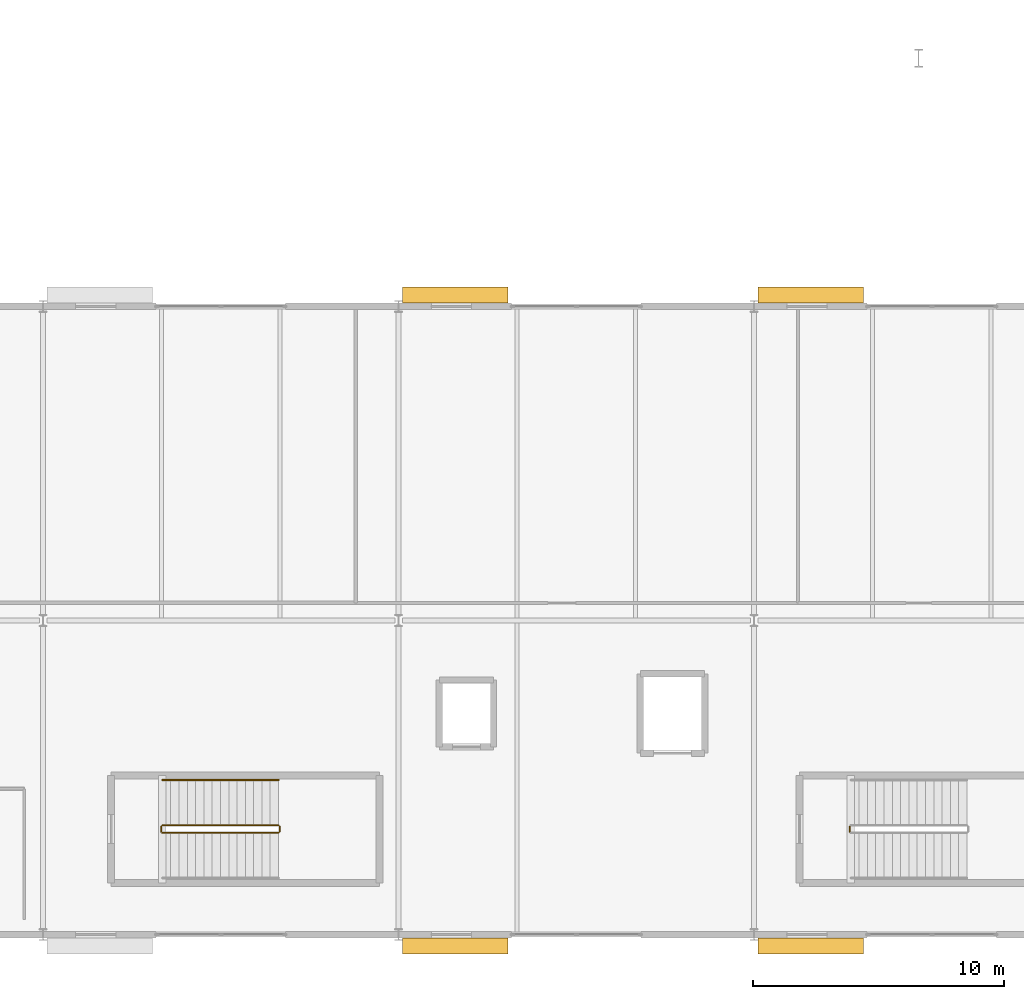
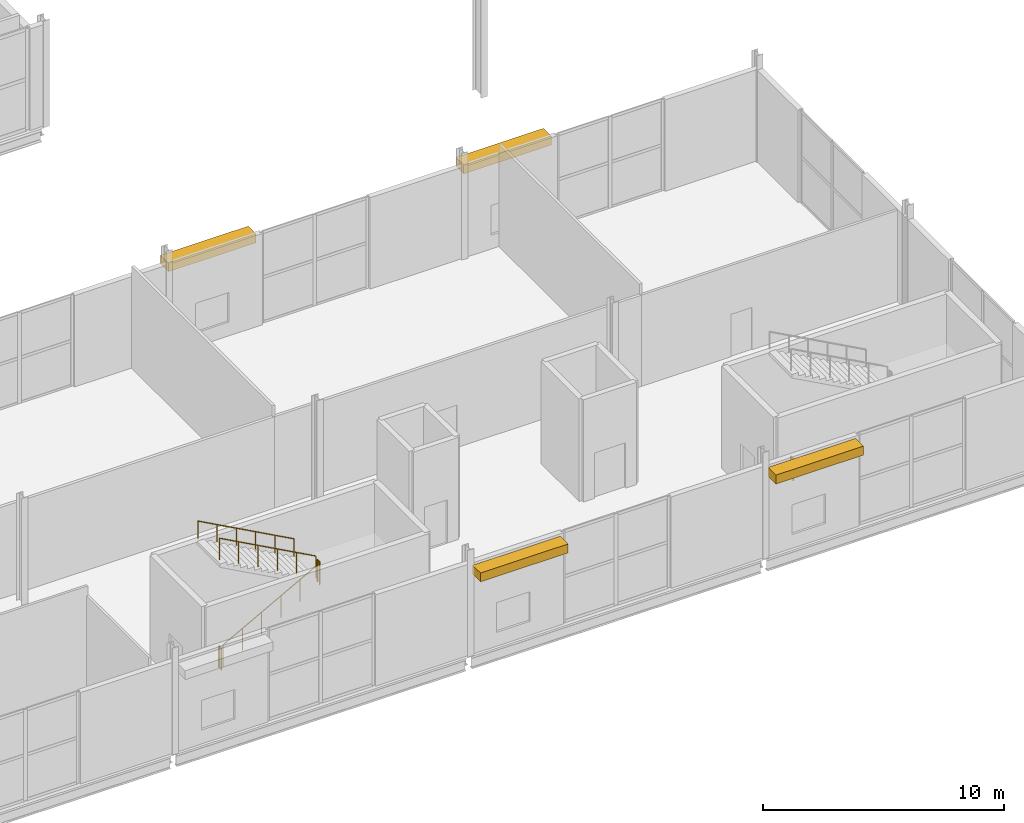
# One storey, part 80 of 84: 6 railings, 4 shading devices.
"""IFC4 building model written with IfcOpenShell, lengths in metres."""

import ifcopenshell
import ifcopenshell.guid

model = None  # the IFC model being written
_history = None  # IfcOwnerHistory: only IFC2X3 demands one
_inside = {}  # id of a spatial element -> (the spatial element, [elements in it])
_under = {}  # id of a project, library or spatial element -> (it, [spatial elements below it])
_declared = {}  # id of a project -> (the project, [libraries it declares])
_typed = {}  # id of a type object -> (the type object, [elements of that type])
_made_of = {}  # id of a material, layer set ... -> (it, [elements and type objects made of it])


def new_model(schema):
    """Start an empty IFC model of exactly this schema.

    Asked for "IFC4X3", IfcOpenShell would pick the latest addendum, in which some entities
    have other attributes; the version numbers below select the first issue.
    IFC2X3 requires an IfcOwnerHistory on every rooted entity: one is made here for all.
    """
    global model, _history
    if schema == "IFC4X3":
        model = ifcopenshell.file(schema_version=(4, 3, 0, 0))
    else:
        model = ifcopenshell.file(schema=schema)
    _inside.clear()
    _under.clear()
    _declared.clear()
    _typed.clear()
    _made_of.clear()
    _history = None
    if model.schema == "IFC2X3":
        org = make("IfcOrganization", Name="unknown")
        user = make(
            "IfcPersonAndOrganization",
            ThePerson=make("IfcPerson", FamilyName="unknown"),
            TheOrganization=org,
        )
        app = make(
            "IfcApplication",
            ApplicationDeveloper=org,
            Version="unknown",
            ApplicationFullName="unknown",
            ApplicationIdentifier="unknown",
        )
        _history = make(
            "IfcOwnerHistory",
            OwningUser=user,
            OwningApplication=app,
            ChangeAction="ADDED",
            CreationDate=0,
        )
    return model


def make(cls, **values):
    """One entity of the class cls with the attributes given. An attribute that is None is left unset."""
    return model.create_entity(
        cls, **{name: value for name, value in values.items() if value is not None}
    )


def rooted(cls, **values):
    """An entity with a GlobalId (a new one), such as an element, a storey or a relation."""
    return make(cls, GlobalId=ifcopenshell.guid.new(), OwnerHistory=_history, **values)


def si_unit(unit_type, name, prefix=None):
    """IfcSIUnit, for example si_unit("LENGTHUNIT", "METRE", prefix="MILLI")."""
    return make("IfcSIUnit", UnitType=unit_type, Prefix=prefix, Name=name)


def assignment(units):
    """IfcUnitAssignment: the units of a project."""
    return None if units is None else make("IfcUnitAssignment", Units=units)


def point(xyz):
    """IfcCartesianPoint."""
    return None if xyz is None else make("IfcCartesianPoint", Coordinates=xyz)


def direction(xyz):
    """IfcDirection."""
    return None if xyz is None else make("IfcDirection", DirectionRatios=xyz)


def frame(location, z_axis=None, x_axis=None):
    """IfcAxis2Placement3D, a coordinate frame: its origin and axes. An axis left out is left unset."""
    return make(
        "IfcAxis2Placement3D",
        Location=point(location),
        Axis=direction(z_axis),
        RefDirection=direction(x_axis),
    )


def frame_2d(location, x_axis=None):
    """IfcAxis2Placement2D, a coordinate frame in the plane: its origin and x axis."""
    return make(
        "IfcAxis2Placement2D", Location=point(location), RefDirection=direction(x_axis)
    )


def origin():
    """The frame at (0, 0, 0) with its axes left unset."""
    return frame((0.0, 0.0, 0.0))


def origin_2d():
    """The frame at (0, 0) in the plane with its x axis left unset."""
    return frame_2d((0.0, 0.0))


def place(relative_to, where):
    """IfcLocalPlacement: puts the frame where relative to a parent placement (None: the world)."""
    return make(
        "IfcLocalPlacement", PlacementRelTo=relative_to, RelativePlacement=where
    )


def context(
    kind, dimensions, precision=None, world=None, true_north=None, identifier=None
):
    """IfcGeometricRepresentationContext, for example the 3D "Model" context."""
    return make(
        "IfcGeometricRepresentationContext",
        ContextIdentifier=identifier,
        ContextType=kind,
        CoordinateSpaceDimension=dimensions,
        Precision=precision,
        WorldCoordinateSystem=world,
        TrueNorth=true_north,
    )


def subcontext(parent, identifier, kind, view, scale=None):
    """IfcGeometricRepresentationSubContext, for example "Body" below "Model"."""
    return make(
        "IfcGeometricRepresentationSubContext",
        ContextIdentifier=identifier,
        ContextType=kind,
        ParentContext=parent,
        TargetScale=scale,
        TargetView=view,
    )


def project(units=None, contexts=None):
    """IfcProject with its units and contexts."""
    return rooted(
        "IfcProject",
        Name="project",
        RepresentationContexts=contexts,
        UnitsInContext=assignment(units),
    )


def spatial(cls, under=None, at=None, **own):
    """A site, building, storey or space (cls), placed at a placement, below another one or the project."""
    s = rooted(cls, ObjectPlacement=at, **own)
    if under is not None:
        _under.setdefault(under.id(), (under, []))[1].append(s)
    return s


def profile(cls, at=None, kind="AREA", **sizes):
    """A parametric profile (cls). Its sizes go by their IFC names, for example OverallWidth=200.0."""
    return make(cls, ProfileType=kind, Position=at, **sizes)


def rectangle(**sizes):
    """IfcRectangleProfileDef."""
    return profile("IfcRectangleProfileDef", **sizes)


def circle(**sizes):
    """IfcCircleProfileDef."""
    return profile("IfcCircleProfileDef", **sizes)


def extrude(swept, where, along, depth):
    """IfcExtrudedAreaSolid: the profile swept, set in the frame where, extruded along a direction by depth."""
    return make(
        "IfcExtrudedAreaSolid",
        SweptArea=swept,
        Position=where,
        ExtrudedDirection=direction(along),
        Depth=depth,
    )


def shape(context_of_items, identifier, shape_type, items):
    """IfcShapeRepresentation: the items that make up one representation, for example the "Body"."""
    return make(
        "IfcShapeRepresentation",
        ContextOfItems=context_of_items,
        RepresentationIdentifier=identifier,
        RepresentationType=shape_type,
        Items=items,
    )


def material(Name=None, Category=None):
    """IfcMaterial."""
    return make("IfcMaterial", Name=Name, Category=Category)


def made_of(thing, what):
    """Note that an element or type object is made of a material, layer set ...; save() writes the relation."""
    if what is not None:
        _made_of.setdefault(what.id(), (what, []))[1].append(thing)
    return thing


def type_object(cls, material=None, **own):
    """A type object (cls), such as IfcWallType, which elements share."""
    return made_of(rooted(cls, **own), material)


def element(
    cls,
    number,
    at=None,
    inside=None,
    cuts=None,
    type_object=None,
    material=None,
    context=None,
    identifier="Body",
    shape_type=None,
    held_by="IfcProductDefinitionShape",
    body=None,
    shapes=None,
    **own,
):
    """One element of the class cls, such as IfcWall. Its Tag is "e" and its number.

    at: its placement. inside: the storey or other place that contains it. cuts: it is an
    opening in that element (IfcRelVoidsElement). A single representation is given by context,
    identifier, shape_type and body (its items); several are given by shapes. held_by: the class
    of the entity that holds the representations. save() writes the other relations.
    """
    e = rooted(cls, Tag="e%d" % number, ObjectPlacement=at, **own)
    if body is not None:
        shapes = [shape(context, identifier, shape_type, body)]
    if shapes is not None:
        e.Representation = make(held_by, Representations=shapes)
    if inside is not None:
        _inside.setdefault(inside.id(), (inside, []))[1].append(e)
    if cuts is not None:
        rooted(
            "IfcRelVoidsElement", RelatingBuildingElement=cuts, RelatedOpeningElement=e
        )
    if type_object is not None:
        _typed.setdefault(type_object.id(), (type_object, []))[1].append(e)
    return made_of(e, material)


def aggregate(whole, parts):
    """IfcRelAggregates: a whole, such as a stair, and the parts it consists of."""
    return rooted("IfcRelAggregates", RelatingObject=whole, RelatedObjects=parts)


def save(model, path):
    """Write the relations noted so far, then the file.

    IfcRelAggregates (storeys below a building ...), IfcRelContainedInSpatialStructure (elements
    in a storey), IfcRelDefinesByType, IfcRelAssociatesMaterial and IfcRelDeclares: one each for
    every whole, place, type object, material and project.
    """
    for whole, parts in _under.values():
        aggregate(whole, parts)
    for where, things in _inside.values():
        rooted(
            "IfcRelContainedInSpatialStructure",
            RelatedElements=things,
            RelatingStructure=where,
        )
    for kind, things in _typed.values():
        rooted("IfcRelDefinesByType", RelatedObjects=things, RelatingType=kind)
    for what, things in _made_of.values():
        rooted("IfcRelAssociatesMaterial", RelatedObjects=things, RelatingMaterial=what)
    for by, libraries in _declared.values():
        rooted("IfcRelDeclares", RelatingContext=by, RelatedDefinitions=libraries)
    model.write(path)


model = new_model("IFC4")

# Units and contexts
model_context = context("Model", 3, precision=1e-05, world=origin(), true_north=direction((0.0, 1.0)))
body_context = subcontext(model_context, "Body", "Model", "MODEL_VIEW")
ifc_project = project(units=[si_unit("LENGTHUNIT", "METRE"), si_unit("AREAUNIT", "SQUARE_METRE"), si_unit("VOLUMEUNIT", "CUBIC_METRE"), si_unit("PLANEANGLEUNIT", "RADIAN"), si_unit("MASSUNIT", "GRAM", prefix="KILO")], contexts=[model_context])

# Site, building, storey
site_placement = place(None, origin())
site = spatial("IfcSite", under=ifc_project, at=site_placement, CompositionType="ELEMENT")
building_placement = place(site_placement, origin())
building = spatial("IfcBuilding", under=site, at=building_placement, Name="Kimbaza Rail Terminus", CompositionType="ELEMENT")
storey_placement = place(building_placement, frame((0.0, 0.0, 5.39990234375)))
storey = spatial("IfcBuildingStorey", under=building, at=storey_placement, Name="L01", CompositionType="ELEMENT", Elevation=5.39990234375)

# Railings
ifc_material_1 = material(Name="Brushed stainless steel handrail", Category="steel")
railing_type_1 = type_object("IfcRailingType", Name="ARC-RL-HND92", PredefinedType="HANDRAIL", material=ifc_material_1)
railing_1_placement = place(storey_placement, frame((180.919921875, 19.14990234375, 2.880126953125)))
element("IfcRailing", 1, at=railing_1_placement, inside=storey, type_object=railing_type_1, Name="L01 ST-P1 stair handrail 2", PredefinedType="HANDRAIL", context=body_context, shape_type="SweptSolid", body=[
    extrude(circle(Radius=0.02392578125, at=origin_2d()), frame((0.0, 0.0, 0.8759765625), z_axis=(-0.877888480945, 0.0, 0.478865132395), x_axis=(0.0, -1.0, 0.0)), (0.0, 0.0, 1.0), 5.262451171875),
    extrude(circle(Radius=0.02099609375, at=origin_2d()), origin(), (0.0, 0.0, 1.0), 0.851806640625),
    extrude(circle(Radius=0.02099609375, at=origin_2d()), frame((-0.924072265625, 0.0, 0.50390625)), (0.0, 0.0, 1.0), 0.851806640625),
    extrude(circle(Radius=0.02099609375, at=origin_2d()), frame((-1.847900390625, 0.0, 1.008056640625)), (0.0, 0.0, 1.0), 0.851806640625),
    extrude(circle(Radius=0.02099609375, at=origin_2d()), frame((-2.77197265625, 0.0, 1.511962890625)), (0.0, 0.0, 1.0), 0.851806640625),
    extrude(circle(Radius=0.02099609375, at=origin_2d()), frame((-3.69580078125, 0.0, 2.01611328125)), (0.0, 0.0, 1.0), 0.851806640625),
    extrude(circle(Radius=0.02099609375, at=origin_2d()), frame((-4.619873046875, 0.0, 2.52001953125)), (0.0, 0.0, 1.0), 0.851806640625),
])
ifc_material_2 = material(Name="Painted tubular steel stair well guard", Category="steel")
railing_type_2 = type_object("IfcRailingType", Name="ARC-RL-STGRD", PredefinedType="GUARDRAIL", material=ifc_material_2)
railing_2_placement = place(storey_placement, frame((176.300048828125, 17.050048828125, 0.18017578125)))
element("IfcRailing", 2, at=railing_2_placement, inside=storey, type_object=railing_type_2, Name="L01 ST-P1 stair guard 1", PredefinedType="GUARDRAIL", context=body_context, shape_type="SweptSolid", body=[
    extrude(circle(Radius=0.02392578125, at=origin_2d()), frame((0.0, 0.0, 1.09619140625), z_axis=(0.877888480945, 0.0, 0.478865132395), x_axis=(0.0, 1.0, 0.0)), (0.0, 0.0, 1.0), 5.262451171875),
    extrude(circle(Radius=0.02099609375, at=origin_2d()), origin(), (0.0, 0.0, 1.0), 1.072021484375),
    extrude(circle(Radius=0.02099609375, at=origin_2d()), frame((0.924072265625, 0.0, 0.50390625)), (0.0, 0.0, 1.0), 1.072021484375),
    extrude(circle(Radius=0.02099609375, at=origin_2d()), frame((1.847900390625, 0.0, 1.008056640625)), (0.0, 0.0, 1.0), 1.072021484375),
    extrude(circle(Radius=0.02099609375, at=origin_2d()), frame((2.77197265625, 0.0, 1.511962890625)), (0.0, 0.0, 1.0), 1.072021484375),
    extrude(circle(Radius=0.02099609375, at=origin_2d()), frame((3.69580078125, 0.0, 2.01611328125)), (0.0, 0.0, 1.0), 1.072021484375),
    extrude(circle(Radius=0.02099609375, at=origin_2d()), frame((4.619873046875, 0.0, 2.52001953125)), (0.0, 0.0, 1.0), 1.072021484375),
])
railing_3_placement = place(storey_placement, frame((180.969970703125, 17.10009765625, 2.7001953125)))
element("IfcRailing", 3, at=railing_3_placement, inside=storey, type_object=railing_type_2, Name="L01 ST-P1 stair guard 2", PredefinedType="GUARDRAIL", context=body_context, shape_type="SweptSolid", body=[
    extrude(circle(Radius=0.02392578125, at=origin_2d()), frame((0.0, 0.0, 1.09619140625), z_axis=(0.0, 1.0, 0.0), x_axis=(-1.0, 0.0, 0.0)), (0.0, 0.0, 1.0), 0.199951171875),
    extrude(circle(Radius=0.02099609375, at=origin_2d()), origin(), (0.0, 0.0, 1.0), 1.072021484375),
    extrude(circle(Radius=0.02099609375, at=origin_2d()), frame((0.0, 0.199951171875, 0.0)), (0.0, 0.0, 1.0), 1.072021484375),
])
railing_4_placement = place(storey_placement, frame((180.919921875, 17.35009765625, 2.880126953125)))
element("IfcRailing", 4, at=railing_4_placement, inside=storey, type_object=railing_type_2, Name="L01 ST-P1 stair guard 3", PredefinedType="GUARDRAIL", context=body_context, shape_type="SweptSolid", body=[
    extrude(circle(Radius=0.02392578125, at=origin_2d()), frame((0.0, 0.0, 1.09619140625), z_axis=(-0.877888480945, 0.0, 0.478865132395), x_axis=(0.0, -1.0, 0.0)), (0.0, 0.0, 1.0), 5.262451171875),
    extrude(circle(Radius=0.02099609375, at=origin_2d()), origin(), (0.0, 0.0, 1.0), 1.072021484375),
    extrude(circle(Radius=0.02099609375, at=origin_2d()), frame((-0.924072265625, 0.0, 0.50390625)), (0.0, 0.0, 1.0), 1.072021484375),
    extrude(circle(Radius=0.02099609375, at=origin_2d()), frame((-1.847900390625, 0.0, 1.008056640625)), (0.0, 0.0, 1.0), 1.072021484375),
    extrude(circle(Radius=0.02099609375, at=origin_2d()), frame((-2.77197265625, 0.0, 1.511962890625)), (0.0, 0.0, 1.0), 1.072021484375),
    extrude(circle(Radius=0.02099609375, at=origin_2d()), frame((-3.69580078125, 0.0, 2.01611328125)), (0.0, 0.0, 1.0), 1.072021484375),
    extrude(circle(Radius=0.02099609375, at=origin_2d()), frame((-4.619873046875, 0.0, 2.52001953125)), (0.0, 0.0, 1.0), 1.072021484375),
])
for number, where, name in (
    (5, (176.25, 17.10009765625, 0.0), "L01 ST-P1 stair guard 4"),
    (6, (203.64990234375, 17.10009765625, 0.0), "L01 ST-P2 stair guard 4"),
):
    element("IfcRailing", number, at=place(storey_placement, frame(where)), inside=storey, type_object=railing_type_2, Name=name, PredefinedType="GUARDRAIL", context=body_context, shape_type="SweptSolid", body=[
        extrude(circle(Radius=0.02392578125, at=origin_2d()), frame((0.0, 0.0, 1.09619140625), z_axis=(0.0, 1.0, 0.0), x_axis=(-1.0, 0.0, 0.0)), (0.0, 0.0, 1.0), 0.199951171875),
        extrude(circle(Radius=0.02099609375, at=origin_2d()), origin(), (0.0, 0.0, 1.0), 1.072021484375),
        extrude(circle(Radius=0.02099609375, at=origin_2d()), frame((0.0, 0.199951171875, 0.0)), (0.0, 0.0, 1.0), 1.072021484375),
    ])

# Shading devices
ifc_material_3 = material(Name="Perforated champagne anodised aluminium louvre", Category="aluminium")
shading_device_type = type_object("IfcShadingDeviceType", Name="ARC-SHD-LVR1", PredefinedType="JALOUSIE", material=ifc_material_3)
for number, where, z_axis, x_axis, name in (
    (7, (187.949951171875, 38.452880859375, 4.05029296875), (0.0, 0.0, 1.0), (1.0, 0.0, 0.0), "Pavilion Veranda Louvre L01.3"),
    (8, (202.10009765625, 38.452880859375, 4.05029296875), (0.0, 0.0, 1.0), (1.0, 0.0, 0.0), "Pavilion Veranda Louvre L01.4"),
    (9, (187.949951171875, 12.547119140625, 4.05029296875), (0.0, 0.0, 1.0), (1.0, 0.0, 0.0), "Pavilion Veranda Louvre L01.3"),
    (10, (202.10009765625, 12.547119140625, 4.05029296875), (0.0, 0.0, 1.0), (1.0, 0.0, 0.0), "Pavilion Veranda Louvre L01.4"),
):
    element("IfcShadingDevice", number, at=place(storey_placement, frame(where, z_axis=z_axis, x_axis=x_axis)), inside=storey, type_object=shading_device_type, Name=name, PredefinedType="JALOUSIE", context=body_context, shape_type="SweptSolid", body=[
        extrude(rectangle(XDim=4.199951171875, YDim=0.64990234375, at=origin_2d()), origin(), (0.0, 0.0, 1.0), 0.449951171875),
    ])

save(model, "model.ifc")
